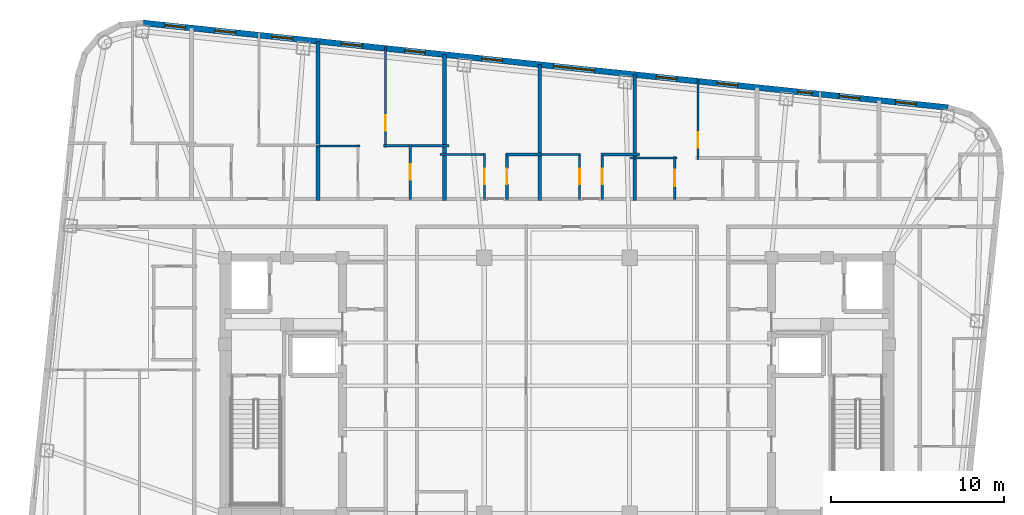
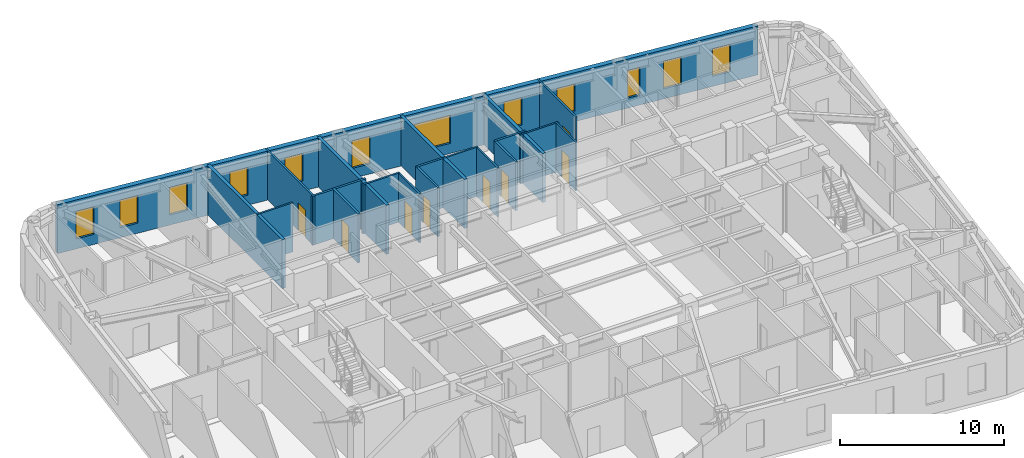
# One storey, part 8 of 11: 20 walls, 12 windows, 8 doors, 20 openings.
"""IFC4 building model written with IfcOpenShell, lengths in metres."""

from ifc_helpers import new_model, si_unit, direction, frame, frame_2d, origin, place, context, subcontext, project, spatial, rectangle, extrude, material, layer, layer_set, type_object, element, fill, save


model = new_model("IFC4")

# Units and contexts
model_context = context("Model", 3, precision=1e-05, world=origin(), true_north=direction((0.0, 1.0)))
body_context = subcontext(model_context, "Body", "Model", "MODEL_VIEW")
ifc_project = project(units=[si_unit("LENGTHUNIT", "METRE"), si_unit("AREAUNIT", "SQUARE_METRE"), si_unit("VOLUMEUNIT", "CUBIC_METRE"), si_unit("PLANEANGLEUNIT", "RADIAN"), si_unit("MASSUNIT", "GRAM", prefix="KILO")], contexts=[model_context])

# Site, building, storey
site_placement = place(None, origin())
site = spatial("IfcSite", under=ifc_project, at=site_placement, CompositionType="ELEMENT")
building_placement = place(site_placement, origin())
building = spatial("IfcBuilding", under=site, at=building_placement, Name="Voryun Gate Residences", CompositionType="ELEMENT")
storey_placement = place(building_placement, frame((0.0, 0.0, 279.5)))
storey = spatial("IfcBuildingStorey", under=building, at=storey_placement, Name="L69", CompositionType="ELEMENT", Elevation=279.5)

# Wall, openings, windows
ifc_material_1 = material(Name="Charcoal terracotta masonry", Category="masonry")
ifc_layer_1 = layer(ifc_material_1, 0.340087890625, Name="W_EXT_TERRACOTTA_340")
ifc_layer_set_1 = layer_set([ifc_layer_1], Name="Charcoal terracotta masonry")
wall_type_1 = type_object("IfcWallType", Name="W_EXT_TERRACOTTA_340", PredefinedType="ELEMENTEDWALL", material=ifc_layer_set_1)
wall_1_placement = place(storey_placement, frame((-23.90771484375, 20.97216796875, 0.0), z_axis=(0.0, 0.0, 1.0), x_axis=(0.994521888554, -0.104528528102, 0.0)))
wall_1 = element("IfcWall", 1, at=wall_1_placement, inside=storey, type_object=wall_type_1, Name="Exterior wall WEXT-L69-11", PredefinedType="ELEMENTEDWALL", context=body_context, shape_type="SweptSolid", body=[
    extrude(rectangle(XDim=46.766357421875, YDim=0.340087890625, at=frame_2d((23.38330078125, 0.0))), origin(), (0.0, 0.0, 1.0), 3.64990234375),
])
opening_1_placement = place(wall_1_placement, frame((23.833251953125, 0.0, 0.75)))
opening_1 = element("IfcOpeningElement", 2, at=opening_1_placement, cuts=wall_1, Name="Opening WN2", PredefinedType="OPENING", context=body_context, shape_type="SweptSolid", body=[
    extrude(rectangle(XDim=2.39990234375, YDim=2.10009765625, at=frame_2d((1.199951171875, 1.050048828125))), frame((0.0, 0.179931640625, 0.0), z_axis=(0.0, -1.0, 0.0), x_axis=(1.0, 0.0, 0.0)), (0.0, 0.0, 1.0), 0.360107421875),
])
opening_2_placement = place(wall_1_placement, frame((1.242919921875, 0.0, 0.75)))
opening_2 = element("IfcOpeningElement", 3, at=opening_2_placement, cuts=wall_1, Name="Opening WN6", PredefinedType="OPENING", context=body_context, shape_type="SweptSolid", body=[
    extrude(rectangle(XDim=1.199951171875, YDim=2.050048828125, at=frame_2d((0.60009765625, 1.02490234375))), frame((0.0, 0.179931640625, 0.0), z_axis=(0.0, -1.0, 0.0), x_axis=(1.0, 0.0, 0.0)), (0.0, 0.0, 1.0), 0.360107421875),
])
opening_3_placement = place(wall_1_placement, frame((4.156982421875, 0.0, 0.75)))
opening_3 = element("IfcOpeningElement", 4, at=opening_3_placement, cuts=wall_1, Name="Opening WN6", PredefinedType="OPENING", context=body_context, shape_type="SweptSolid", body=[
    extrude(rectangle(XDim=1.199951171875, YDim=2.050048828125, at=frame_2d((0.60009765625, 1.02490234375))), frame((0.0, 0.179931640625, 0.0), z_axis=(0.0, -1.0, 0.0), x_axis=(1.0, 0.0, 0.0)), (0.0, 0.0, 1.0), 0.360107421875),
])
opening_4_placement = place(wall_1_placement, frame((7.475341796875, 0.0, 0.75)))
opening_4 = element("IfcOpeningElement", 5, at=opening_4_placement, cuts=wall_1, Name="Opening WN6", PredefinedType="OPENING", context=body_context, shape_type="SweptSolid", body=[
    extrude(rectangle(XDim=1.199951171875, YDim=2.050048828125, at=frame_2d((0.60009765625, 1.02490234375))), frame((0.0, 0.179931640625, 0.0), z_axis=(0.0, -1.0, 0.0), x_axis=(1.0, 0.0, 0.0)), (0.0, 0.0, 1.0), 0.360107421875),
])
opening_5_placement = place(wall_1_placement, frame((11.513427734375, 0.0, 0.75)))
opening_5 = element("IfcOpeningElement", 6, at=opening_5_placement, cuts=wall_1, Name="Opening WN6", PredefinedType="OPENING", context=body_context, shape_type="SweptSolid", body=[
    extrude(rectangle(XDim=1.199951171875, YDim=2.050048828125, at=frame_2d((0.60009765625, 1.02490234375))), frame((0.0, 0.179931640625, 0.0), z_axis=(0.0, -1.0, 0.0), x_axis=(1.0, 0.0, 0.0)), (0.0, 0.0, 1.0), 0.360107421875),
])
opening_6_placement = place(wall_1_placement, frame((15.191650390625, 0.0, 0.75)))
opening_6 = element("IfcOpeningElement", 7, at=opening_6_placement, cuts=wall_1, Name="Opening WN6", PredefinedType="OPENING", context=body_context, shape_type="SweptSolid", body=[
    extrude(rectangle(XDim=1.199951171875, YDim=2.050048828125, at=frame_2d((0.60009765625, 1.02490234375))), frame((0.0, 0.179931640625, 0.0), z_axis=(0.0, -1.0, 0.0), x_axis=(1.0, 0.0, 0.0)), (0.0, 0.0, 1.0), 0.360107421875),
])
opening_7_placement = place(wall_1_placement, frame((19.671142578125, 0.0, 0.75)))
opening_7 = element("IfcOpeningElement", 8, at=opening_7_placement, cuts=wall_1, Name="Opening WN6", PredefinedType="OPENING", context=body_context, shape_type="SweptSolid", body=[
    extrude(rectangle(XDim=1.199951171875, YDim=2.050048828125, at=frame_2d((0.60009765625, 1.02490234375))), frame((0.0, 0.179931640625, 0.0), z_axis=(0.0, -1.0, 0.0), x_axis=(1.0, 0.0, 0.0)), (0.0, 0.0, 1.0), 0.360107421875),
])
opening_8_placement = place(wall_1_placement, frame((29.801025390625, 0.0, 0.75)))
opening_8 = element("IfcOpeningElement", 9, at=opening_8_placement, cuts=wall_1, Name="Opening WN6", PredefinedType="OPENING", context=body_context, shape_type="SweptSolid", body=[
    extrude(rectangle(XDim=1.199951171875, YDim=2.050048828125, at=frame_2d((0.60009765625, 1.02490234375))), frame((0.0, 0.179931640625, 0.0), z_axis=(0.0, -1.0, 0.0), x_axis=(1.0, 0.0, 0.0)), (0.0, 0.0, 1.0), 0.360107421875),
])
opening_9_placement = place(wall_1_placement, frame((33.35009765625, 0.0, 0.75)))
opening_9 = element("IfcOpeningElement", 10, at=opening_9_placement, cuts=wall_1, Name="Opening WN6", PredefinedType="OPENING", context=body_context, shape_type="SweptSolid", body=[
    extrude(rectangle(XDim=1.199951171875, YDim=2.050048828125, at=frame_2d((0.60009765625, 1.02490234375))), frame((0.0, 0.179931640625, 0.0), z_axis=(0.0, -1.0, 0.0), x_axis=(1.0, 0.0, 0.0)), (0.0, 0.0, 1.0), 0.360107421875),
])
opening_10_placement = place(wall_1_placement, frame((38.033935546875, 0.0, 0.75)))
opening_10 = element("IfcOpeningElement", 11, at=opening_10_placement, cuts=wall_1, Name="Opening WN9", PredefinedType="OPENING", context=body_context, shape_type="SweptSolid", body=[
    extrude(rectangle(XDim=0.85009765625, YDim=2.050048828125, at=frame_2d((0.425048828125, 1.02490234375))), frame((0.0, 0.179931640625, 0.0), z_axis=(0.0, -1.0, 0.0), x_axis=(1.0, 0.0, 0.0)), (0.0, 0.0, 1.0), 0.360107421875),
])
opening_11_placement = place(wall_1_placement, frame((40.447998046875, 0.0, 0.75)))
opening_11 = element("IfcOpeningElement", 12, at=opening_11_placement, cuts=wall_1, Name="Opening WN6", PredefinedType="OPENING", context=body_context, shape_type="SweptSolid", body=[
    extrude(rectangle(XDim=1.199951171875, YDim=2.050048828125, at=frame_2d((0.60009765625, 1.02490234375))), frame((0.0, 0.179931640625, 0.0), z_axis=(0.0, -1.0, 0.0), x_axis=(1.0, 0.0, 0.0)), (0.0, 0.0, 1.0), 0.360107421875),
])
opening_12_placement = place(wall_1_placement, frame((43.718017578125, 0.0, 0.75)))
opening_12 = element("IfcOpeningElement", 13, at=opening_12_placement, cuts=wall_1, Name="Opening WN6", PredefinedType="OPENING", context=body_context, shape_type="SweptSolid", body=[
    extrude(rectangle(XDim=1.199951171875, YDim=2.050048828125, at=frame_2d((0.60009765625, 1.02490234375))), frame((0.0, 0.179931640625, 0.0), z_axis=(0.0, -1.0, 0.0), x_axis=(1.0, 0.0, 0.0)), (0.0, 0.0, 1.0), 0.360107421875),
])
ifc_material_2 = material(Name="Laminated low-E glass", Category="glass")
window_type_1 = type_object("IfcWindowType", Name="WN_POD_SLOT_1200", PartitioningType="SINGLE_PANEL", PredefinedType="WINDOW", material=ifc_material_2)
window_1_placement = place(opening_2_placement, origin())
window_1 = element("IfcWindow", 14, at=window_1_placement, inside=storey, type_object=window_type_1, Name="Window WN-L69-DWFIX-02", OverallHeight=2.050048828125, OverallWidth=1.199951171875, PartitioningType="SINGLE_PANEL", PredefinedType="WINDOW", context=body_context, shape_type="SweptSolid", body=[
    extrude(rectangle(XDim=1.199951171875, YDim=2.050048828125, at=frame_2d((0.60009765625, 1.02490234375))), frame((0.0, 0.030029296875, 0.0), z_axis=(0.0, -1.0, 0.0), x_axis=(1.0, 0.0, 0.0)), (0.0, 0.0, 1.0), 0.06005859375),
])
fill(opening_2, window_1)
window_2_placement = place(opening_3_placement, origin())
window_2 = element("IfcWindow", 15, at=window_2_placement, inside=storey, type_object=window_type_1, Name="Window WN-L69-DWFIX-03", OverallHeight=2.050048828125, OverallWidth=1.199951171875, PartitioningType="SINGLE_PANEL", PredefinedType="WINDOW", context=body_context, shape_type="SweptSolid", body=[
    extrude(rectangle(XDim=1.199951171875, YDim=2.050048828125, at=frame_2d((0.60009765625, 1.02490234375))), frame((0.0, 0.030029296875, 0.0), z_axis=(0.0, -1.0, 0.0), x_axis=(1.0, 0.0, 0.0)), (0.0, 0.0, 1.0), 0.06005859375),
])
fill(opening_3, window_2)
window_3_placement = place(opening_4_placement, origin())
window_3 = element("IfcWindow", 16, at=window_3_placement, inside=storey, type_object=window_type_1, Name="Window WN-L69-DWFIX-04", OverallHeight=2.050048828125, OverallWidth=1.199951171875, PartitioningType="SINGLE_PANEL", PredefinedType="WINDOW", context=body_context, shape_type="SweptSolid", body=[
    extrude(rectangle(XDim=1.199951171875, YDim=2.050048828125, at=frame_2d((0.60009765625, 1.02490234375))), frame((0.0, 0.030029296875, 0.0), z_axis=(0.0, -1.0, 0.0), x_axis=(1.0, 0.0, 0.0)), (0.0, 0.0, 1.0), 0.06005859375),
])
fill(opening_4, window_3)
window_4_placement = place(opening_5_placement, origin())
window_4 = element("IfcWindow", 17, at=window_4_placement, inside=storey, type_object=window_type_1, Name="Window WN-L69-DWFIX-05", OverallHeight=2.050048828125, OverallWidth=1.199951171875, PartitioningType="SINGLE_PANEL", PredefinedType="WINDOW", context=body_context, shape_type="SweptSolid", body=[
    extrude(rectangle(XDim=1.199951171875, YDim=2.050048828125, at=frame_2d((0.60009765625, 1.02490234375))), frame((0.0, 0.030029296875, 0.0), z_axis=(0.0, -1.0, 0.0), x_axis=(1.0, 0.0, 0.0)), (0.0, 0.0, 1.0), 0.06005859375),
])
fill(opening_5, window_4)
window_5_placement = place(opening_6_placement, origin())
window_5 = element("IfcWindow", 18, at=window_5_placement, inside=storey, type_object=window_type_1, Name="Window WN-L69-DWFIX-06", OverallHeight=2.050048828125, OverallWidth=1.199951171875, PartitioningType="SINGLE_PANEL", PredefinedType="WINDOW", context=body_context, shape_type="SweptSolid", body=[
    extrude(rectangle(XDim=1.199951171875, YDim=2.050048828125, at=frame_2d((0.60009765625, 1.02490234375))), frame((0.0, 0.030029296875, 0.0), z_axis=(0.0, -1.0, 0.0), x_axis=(1.0, 0.0, 0.0)), (0.0, 0.0, 1.0), 0.06005859375),
])
fill(opening_6, window_5)
window_6_placement = place(opening_7_placement, origin())
window_6 = element("IfcWindow", 19, at=window_6_placement, inside=storey, type_object=window_type_1, Name="Window WN-L69-DWFIX-07", OverallHeight=2.050048828125, OverallWidth=1.199951171875, PartitioningType="SINGLE_PANEL", PredefinedType="WINDOW", context=body_context, shape_type="SweptSolid", body=[
    extrude(rectangle(XDim=1.199951171875, YDim=2.050048828125, at=frame_2d((0.60009765625, 1.02490234375))), frame((0.0, 0.030029296875, 0.0), z_axis=(0.0, -1.0, 0.0), x_axis=(1.0, 0.0, 0.0)), (0.0, 0.0, 1.0), 0.06005859375),
])
fill(opening_7, window_6)
window_7_placement = place(opening_8_placement, origin())
window_7 = element("IfcWindow", 20, at=window_7_placement, inside=storey, type_object=window_type_1, Name="Window WN-L69-DWFIX-08", OverallHeight=2.050048828125, OverallWidth=1.199951171875, PartitioningType="SINGLE_PANEL", PredefinedType="WINDOW", context=body_context, shape_type="SweptSolid", body=[
    extrude(rectangle(XDim=1.199951171875, YDim=2.050048828125, at=frame_2d((0.60009765625, 1.02490234375))), frame((0.0, 0.030029296875, 0.0), z_axis=(0.0, -1.0, 0.0), x_axis=(1.0, 0.0, 0.0)), (0.0, 0.0, 1.0), 0.06005859375),
])
fill(opening_8, window_7)
window_8_placement = place(opening_9_placement, origin())
window_8 = element("IfcWindow", 21, at=window_8_placement, inside=storey, type_object=window_type_1, Name="Window WN-L69-DWFIX-09", OverallHeight=2.050048828125, OverallWidth=1.199951171875, PartitioningType="SINGLE_PANEL", PredefinedType="WINDOW", context=body_context, shape_type="SweptSolid", body=[
    extrude(rectangle(XDim=1.199951171875, YDim=2.050048828125, at=frame_2d((0.60009765625, 1.02490234375))), frame((0.0, 0.030029296875, 0.0), z_axis=(0.0, -1.0, 0.0), x_axis=(1.0, 0.0, 0.0)), (0.0, 0.0, 1.0), 0.06005859375),
])
fill(opening_9, window_8)
window_9_placement = place(opening_11_placement, origin())
window_9 = element("IfcWindow", 22, at=window_9_placement, inside=storey, type_object=window_type_1, Name="Window WN-L69-DWFIX-11", OverallHeight=2.050048828125, OverallWidth=1.199951171875, PartitioningType="SINGLE_PANEL", PredefinedType="WINDOW", context=body_context, shape_type="SweptSolid", body=[
    extrude(rectangle(XDim=1.199951171875, YDim=2.050048828125, at=frame_2d((0.60009765625, 1.02490234375))), frame((0.0, 0.030029296875, 0.0), z_axis=(0.0, -1.0, 0.0), x_axis=(1.0, 0.0, 0.0)), (0.0, 0.0, 1.0), 0.06005859375),
])
fill(opening_11, window_9)
window_10_placement = place(opening_12_placement, origin())
window_10 = element("IfcWindow", 23, at=window_10_placement, inside=storey, type_object=window_type_1, Name="Window WN-L69-DWFIX-12", OverallHeight=2.050048828125, OverallWidth=1.199951171875, PartitioningType="SINGLE_PANEL", PredefinedType="WINDOW", context=body_context, shape_type="SweptSolid", body=[
    extrude(rectangle(XDim=1.199951171875, YDim=2.050048828125, at=frame_2d((0.60009765625, 1.02490234375))), frame((0.0, 0.030029296875, 0.0), z_axis=(0.0, -1.0, 0.0), x_axis=(1.0, 0.0, 0.0)), (0.0, 0.0, 1.0), 0.06005859375),
])
fill(opening_12, window_10)
ifc_material_3 = material(Name="Laminated low-E glass", Category="glass")
window_type_2 = type_object("IfcWindowType", Name="WN_RES_CASEMENT_850", PartitioningType="SINGLE_PANEL", PredefinedType="WINDOW", material=ifc_material_3)
window_11_placement = place(opening_10_placement, origin())
window_11 = element("IfcWindow", 24, at=window_11_placement, inside=storey, type_object=window_type_2, Name="Window WN-L69-DWFIX-10", OverallHeight=2.050048828125, OverallWidth=0.85009765625, PartitioningType="SINGLE_PANEL", PredefinedType="WINDOW", context=body_context, shape_type="SweptSolid", body=[
    extrude(rectangle(XDim=0.85009765625, YDim=2.050048828125, at=frame_2d((0.425048828125, 1.02490234375))), frame((0.0, 0.030029296875, 0.0), z_axis=(0.0, -1.0, 0.0), x_axis=(1.0, 0.0, 0.0)), (0.0, 0.0, 1.0), 0.06005859375),
])
fill(opening_10, window_11)
ifc_material_4 = material(Name="Laminated low-E glass", Category="glass")
window_type_3 = type_object("IfcWindowType", Name="WN_RES_WIDE_2400", PartitioningType="SINGLE_PANEL", PredefinedType="WINDOW", material=ifc_material_4)
window_12_placement = place(opening_1_placement, origin())
window_12 = element("IfcWindow", 25, at=window_12_placement, inside=storey, type_object=window_type_3, Name="Window WN-WEXT-L69-11-02", OverallHeight=2.10009765625, OverallWidth=2.39990234375, PartitioningType="SINGLE_PANEL", PredefinedType="WINDOW", context=body_context, shape_type="SweptSolid", body=[
    extrude(rectangle(XDim=2.39990234375, YDim=2.10009765625, at=frame_2d((1.199951171875, 1.050048828125))), frame((0.0, 0.030029296875, 0.0), z_axis=(0.0, -1.0, 0.0), x_axis=(1.0, 0.0, 0.0)), (0.0, 0.0, 1.0), 0.06005859375),
])
fill(opening_1, window_12)

# Walls
ifc_material_5 = material(Name="Concrete C40/50", Category="concrete")
ifc_layer_2 = layer(ifc_material_5, 0.219970703125, Name="W_PARTY_ACOUSTIC_220")
ifc_layer_set_2 = layer_set([ifc_layer_2], Name="Concrete C40/50")
wall_type_2 = type_object("IfcWallType", Name="W_PARTY_ACOUSTIC_220", PredefinedType="PARTITIONING", material=ifc_layer_set_2)
wall_2_placement = place(storey_placement, frame((-13.81591796875, 10.719970703125, 0.0), z_axis=(0.0, 0.0, 1.0), x_axis=(0.0, 1.0, 0.0)))
element("IfcWall", 26, at=wall_2_placement, inside=storey, type_object=wall_type_2, Name="Partition wall WP-L69-NPTY-2", PredefinedType="PARTITIONING", context=body_context, shape_type="SweptSolid", body=[
    extrude(rectangle(XDim=9.191650390625, YDim=0.219970703125, at=frame_2d((4.595703125, 0.0))), origin(), (0.0, 0.0, 1.0), 3.64990234375),
])
wall_3_placement = place(storey_placement, frame((-6.5, 10.719970703125, 0.0), z_axis=(0.0, 0.0, 1.0), x_axis=(0.0, 1.0, 0.0)))
element("IfcWall", 27, at=wall_3_placement, inside=storey, type_object=wall_type_2, Name="Partition wall WP-L69-NPTY-3", PredefinedType="PARTITIONING", context=body_context, shape_type="SweptSolid", body=[
    extrude(rectangle(XDim=8.422607421875, YDim=0.219970703125, at=frame_2d((4.21142578125, 0.0))), origin(), (0.0, 0.0, 1.0), 3.64990234375),
])
wall_4_placement = place(storey_placement, frame((-1.0, 10.719970703125, 0.0), z_axis=(0.0, 0.0, 1.0), x_axis=(0.0, 1.0, 0.0)))
element("IfcWall", 28, at=wall_4_placement, inside=storey, type_object=wall_type_2, Name="Partition wall WP-L69-NPTY-4", PredefinedType="PARTITIONING", context=body_context, shape_type="SweptSolid", body=[
    extrude(rectangle(XDim=7.844482421875, YDim=0.219970703125, at=frame_2d((3.92236328125, 0.0))), origin(), (0.0, 0.0, 1.0), 3.64990234375),
])
wall_5_placement = place(storey_placement, frame((4.5, 10.719970703125, 0.0), z_axis=(0.0, 0.0, 1.0), x_axis=(0.0, 1.0, 0.0)))
element("IfcWall", 29, at=wall_5_placement, inside=storey, type_object=wall_type_2, Name="Partition wall WP-L69-NPTY-5", PredefinedType="PARTITIONING", context=body_context, shape_type="SweptSolid", body=[
    extrude(rectangle(XDim=7.266357421875, YDim=0.219970703125, at=frame_2d((3.63330078125, 0.0))), origin(), (0.0, 0.0, 1.0), 3.64990234375),
])

# Wall, opening, door
ifc_material_6 = material(Name="Gypsum acoustic partition")
ifc_layer_3 = layer(ifc_material_6, 0.125, Name="W_UNIT_PART_125")
ifc_layer_set_3 = layer_set([ifc_layer_3], Name="Gypsum acoustic partition")
wall_type_3 = type_object("IfcWallType", Name="W_UNIT_PART_125", PredefinedType="PARTITIONING", material=ifc_layer_set_3)
wall_6_placement = place(storey_placement, frame((-9.909912109375, 13.785888671875, 0.0), z_axis=(0.0, 0.0, 1.0), x_axis=(0.0, 1.0, 0.0)))
wall_6 = element("IfcWall", 30, at=wall_6_placement, inside=storey, type_object=wall_type_3, Name="Partition wall WP-L69-N3-OVR", PredefinedType="PARTITIONING", context=body_context, shape_type="SweptSolid", body=[
    extrude(rectangle(XDim=5.865966796875, YDim=0.125, at=frame_2d((2.93310546875, 0.0))), origin(), (0.0, 0.0, 1.0), 3.64990234375),
])
opening_13_placement = place(wall_6_placement, frame((0.957763671875, 0.0, 0.0)))
opening_13 = element("IfcOpeningElement", 31, at=opening_13_placement, cuts=wall_6, Name="Opening D-INT-2", PredefinedType="OPENING", context=body_context, shape_type="SweptSolid", body=[
    extrude(rectangle(XDim=0.89990234375, YDim=2.050048828125, at=frame_2d((0.449951171875, 1.02490234375))), frame((0.0, 0.072509765625, 0.0), z_axis=(0.0, -1.0, 0.0), x_axis=(1.0, 0.0, 0.0)), (0.0, 0.0, 1.0), 0.14501953125),
])
ifc_material_7 = material(Name="Architectural oak veneer")
door_type_1 = type_object("IfcDoorType", Name="DR_INT_BATH_900", OperationType="NOTDEFINED", PredefinedType="DOOR", material=ifc_material_7)
door_1_placement = place(opening_13_placement, origin())
door_1 = element("IfcDoor", 32, at=door_1_placement, inside=storey, type_object=door_type_1, Name="Door DR-L69-N3-DMB", OperationType="SINGLE_SWING_RIGHT", OverallHeight=2.050048828125, OverallWidth=0.89990234375, PredefinedType="DOOR", context=body_context, shape_type="SweptSolid", body=[
    extrude(rectangle(XDim=0.89990234375, YDim=2.050048828125, at=frame_2d((0.449951171875, 1.02490234375))), frame((0.0, 0.02490234375, 0.0), z_axis=(0.0, -1.0, 0.0), x_axis=(1.0, 0.0, 0.0)), (0.0, 0.0, 1.0), 0.050048828125),
])
fill(opening_13, door_1)

# Wall
wall_7_placement = place(storey_placement, frame((-13.89111328125, 13.865966796875, 0.0), z_axis=(0.0, 0.0, 1.0), x_axis=(1.0, 0.0, 0.0)))
element("IfcWall", 33, at=wall_7_placement, inside=storey, type_object=wall_type_3, Name="Partition wall WP-L69-N3-HZK", PredefinedType="PARTITIONING", context=body_context, shape_type="SweptSolid", body=[
    extrude(rectangle(XDim=2.505126953125, YDim=0.125, at=frame_2d((1.25244140625, 0.0))), origin(), (0.0, 0.0, 1.0), 3.64990234375),
])

# Wall, opening, door
wall_8_placement = place(storey_placement, frame((-4.18994140625, 10.780029296875, 0.0), z_axis=(0.0, 0.0, 1.0), x_axis=(0.0, 1.0, 0.0)))
wall_8 = element("IfcWall", 34, at=wall_8_placement, inside=storey, type_object=wall_type_3, Name="Partition wall WP-L69-N4-CVK", PredefinedType="PARTITIONING", context=body_context, shape_type="SweptSolid", body=[
    extrude(rectangle(XDim=2.64990234375, YDim=0.125, at=frame_2d((1.324951171875, 0.0))), origin(), (0.0, 0.0, 1.0), 3.64990234375),
])
opening_14_placement = place(wall_8_placement, frame((0.875, 0.0, 0.0)))
opening_14 = element("IfcOpeningElement", 35, at=opening_14_placement, cuts=wall_8, Name="Opening D-INT-2", PredefinedType="OPENING", context=body_context, shape_type="SweptSolid", body=[
    extrude(rectangle(XDim=0.89990234375, YDim=2.050048828125, at=frame_2d((0.449951171875, 1.02490234375))), frame((0.0, 0.072509765625, 0.0), z_axis=(0.0, -1.0, 0.0), x_axis=(1.0, 0.0, 0.0)), (0.0, 0.0, 1.0), 0.14501953125),
])
door_2_placement = place(opening_14_placement, origin())
door_2 = element("IfcDoor", 36, at=door_2_placement, inside=storey, type_object=door_type_1, Name="Door DR-L69-N4-DK", OperationType="SINGLE_SWING_LEFT", OverallHeight=2.050048828125, OverallWidth=0.89990234375, PredefinedType="DOOR", context=body_context, shape_type="SweptSolid", body=[
    extrude(rectangle(XDim=0.89990234375, YDim=2.050048828125, at=frame_2d((0.449951171875, 1.02490234375))), frame((0.0, 0.02490234375, 0.0), z_axis=(0.0, -1.0, 0.0), x_axis=(1.0, 0.0, 0.0)), (0.0, 0.0, 1.0), 0.050048828125),
])
fill(opening_14, door_2)

# Wall
wall_9_placement = place(storey_placement, frame((-6.760009765625, 13.3701171875, 0.0), z_axis=(0.0, 0.0, 1.0), x_axis=(1.0, 0.0, 0.0)))
element("IfcWall", 37, at=wall_9_placement, inside=storey, type_object=wall_type_3, Name="Partition wall WP-L69-N4-CHK", PredefinedType="PARTITIONING", context=body_context, shape_type="SweptSolid", body=[
    extrude(rectangle(XDim=2.630126953125, YDim=0.125, at=frame_2d((1.31494140625, 0.0))), origin(), (0.0, 0.0, 1.0), 3.64990234375),
])

# Wall, opening, door
wall_10_placement = place(storey_placement, frame((1.31005859375, 10.780029296875, 0.0), z_axis=(0.0, 0.0, 1.0), x_axis=(0.0, 1.0, 0.0)))
wall_10 = element("IfcWall", 38, at=wall_10_placement, inside=storey, type_object=wall_type_3, Name="Partition wall WP-L69-N5-CVK", PredefinedType="PARTITIONING", context=body_context, shape_type="SweptSolid", body=[
    extrude(rectangle(XDim=2.64990234375, YDim=0.125, at=frame_2d((1.324951171875, 0.0))), origin(), (0.0, 0.0, 1.0), 3.64990234375),
])
opening_15_placement = place(wall_10_placement, frame((0.875, 0.0, 0.0)))
opening_15 = element("IfcOpeningElement", 39, at=opening_15_placement, cuts=wall_10, Name="Opening D-INT-2", PredefinedType="OPENING", context=body_context, shape_type="SweptSolid", body=[
    extrude(rectangle(XDim=0.89990234375, YDim=2.050048828125, at=frame_2d((0.449951171875, 1.02490234375))), frame((0.0, 0.072509765625, 0.0), z_axis=(0.0, -1.0, 0.0), x_axis=(1.0, 0.0, 0.0)), (0.0, 0.0, 1.0), 0.14501953125),
])
door_3_placement = place(opening_15_placement, origin())
door_3 = element("IfcDoor", 40, at=door_3_placement, inside=storey, type_object=door_type_1, Name="Door DR-L69-N5-DK", OperationType="SINGLE_SWING_LEFT", OverallHeight=2.050048828125, OverallWidth=0.89990234375, PredefinedType="DOOR", context=body_context, shape_type="SweptSolid", body=[
    extrude(rectangle(XDim=0.89990234375, YDim=2.050048828125, at=frame_2d((0.449951171875, 1.02490234375))), frame((0.0, 0.02490234375, 0.0), z_axis=(0.0, -1.0, 0.0), x_axis=(1.0, 0.0, 0.0)), (0.0, 0.0, 1.0), 0.050048828125),
])
fill(opening_15, door_3)

# Wall
wall_11_placement = place(storey_placement, frame((-1.074951171875, 13.3701171875, 0.0), z_axis=(0.0, 0.0, 1.0), x_axis=(1.0, 0.0, 0.0)))
element("IfcWall", 41, at=wall_11_placement, inside=storey, type_object=wall_type_3, Name="Partition wall WP-L69-N5-CHK", PredefinedType="PARTITIONING", context=body_context, shape_type="SweptSolid", body=[
    extrude(rectangle(XDim=2.445068359375, YDim=0.125, at=frame_2d((1.22265625, 0.0))), origin(), (0.0, 0.0, 1.0), 3.64990234375),
])

# Wall, opening, door
wall_12_placement = place(storey_placement, frame((8.14892578125, 13.0869140625, 0.0), z_axis=(0.0, 0.0, 1.0), x_axis=(0.0, 1.0, 0.0)))
wall_12 = element("IfcWall", 42, at=wall_12_placement, inside=storey, type_object=wall_type_3, Name="Partition wall WP-L69-N6-OVR", PredefinedType="PARTITIONING", context=body_context, shape_type="SweptSolid", body=[
    extrude(rectangle(XDim=4.666748046875, YDim=0.125, at=frame_2d((2.33349609375, 0.0))), origin(), (0.0, 0.0, 1.0), 3.64990234375),
])
opening_16_placement = place(wall_12_placement, frame((0.669921875, 0.0, 0.0)))
opening_16 = element("IfcOpeningElement", 43, at=opening_16_placement, cuts=wall_12, Name="Opening D-INT-2", PredefinedType="OPENING", context=body_context, shape_type="SweptSolid", body=[
    extrude(rectangle(XDim=0.89990234375, YDim=2.050048828125, at=frame_2d((0.449951171875, 1.02490234375))), frame((0.0, 0.072509765625, 0.0), z_axis=(0.0, -1.0, 0.0), x_axis=(1.0, 0.0, 0.0)), (0.0, 0.0, 1.0), 0.14501953125),
])
door_4_placement = place(opening_16_placement, origin())
door_4 = element("IfcDoor", 44, at=door_4_placement, inside=storey, type_object=door_type_1, Name="Door DR-L69-N6-DMB", OperationType="SINGLE_SWING_RIGHT", OverallHeight=2.050048828125, OverallWidth=0.89990234375, PredefinedType="DOOR", context=body_context, shape_type="SweptSolid", body=[
    extrude(rectangle(XDim=0.89990234375, YDim=2.050048828125, at=frame_2d((0.449951171875, 1.02490234375))), frame((0.0, 0.02490234375, 0.0), z_axis=(0.0, -1.0, 0.0), x_axis=(1.0, 0.0, 0.0)), (0.0, 0.0, 1.0), 0.050048828125),
])
fill(opening_16, door_4)

wall_13_placement = place(storey_placement, frame((6.81005859375, 10.780029296875, 0.0), z_axis=(0.0, 0.0, 1.0), x_axis=(0.0, 1.0, 0.0)))
wall_13 = element("IfcWall", 45, at=wall_13_placement, inside=storey, type_object=wall_type_3, Name="Partition wall WP-L69-N6-IVK", PredefinedType="PARTITIONING", context=body_context, shape_type="SweptSolid", body=[
    extrude(rectangle(XDim=2.467041015625, YDim=0.125, at=frame_2d((1.2333984375, 0.0))), origin(), (0.0, 0.0, 1.0), 3.64990234375),
])
opening_17_placement = place(wall_13_placement, frame((0.758544921875, 0.0, 0.0)))
opening_17 = element("IfcOpeningElement", 46, at=opening_17_placement, cuts=wall_13, Name="Opening D-INT-1", PredefinedType="OPENING", context=body_context, shape_type="SweptSolid", body=[
    extrude(rectangle(XDim=0.949951171875, YDim=2.050048828125, at=frame_2d((0.47509765625, 1.02490234375))), frame((0.0, 0.072509765625, 0.0), z_axis=(0.0, -1.0, 0.0), x_axis=(1.0, 0.0, 0.0)), (0.0, 0.0, 1.0), 0.14501953125),
])
ifc_material_8 = material(Name="Architectural oak veneer")
door_type_2 = type_object("IfcDoorType", Name="DR_INT_ROOM_950", OperationType="NOTDEFINED", PredefinedType="DOOR", material=ifc_material_8)
door_5_placement = place(opening_17_placement, origin())
door_5 = element("IfcDoor", 47, at=door_5_placement, inside=storey, type_object=door_type_2, Name="Door DR-L69-N6-DK", OperationType="SINGLE_SWING_LEFT", OverallHeight=2.050048828125, OverallWidth=0.949951171875, PredefinedType="DOOR", context=body_context, shape_type="SweptSolid", body=[
    extrude(rectangle(XDim=0.949951171875, YDim=2.050048828125, at=frame_2d((0.47509765625, 1.02490234375))), frame((0.0, 0.02490234375, 0.0), z_axis=(0.0, -1.0, 0.0), x_axis=(1.0, 0.0, 0.0)), (0.0, 0.0, 1.0), 0.050048828125),
])
fill(opening_17, door_5)

# Walls
wall_14_placement = place(storey_placement, frame((4.239990234375, 13.1669921875, 0.0), z_axis=(0.0, 0.0, 1.0), x_axis=(1.0, 0.0, 0.0)))
element("IfcWall", 48, at=wall_14_placement, inside=storey, type_object=wall_type_3, Name="Partition wall WP-L69-N6-HZK", PredefinedType="PARTITIONING", context=body_context, shape_type="SweptSolid", body=[
    extrude(rectangle(XDim=2.68994140625, YDim=0.125, at=frame_2d((1.344970703125, 0.0))), origin(), (0.0, 0.0, 1.0), 3.64990234375),
])
ifc_material_9 = material(Name="Gypsum moisture-resistant partition")
ifc_layer_4 = layer(ifc_material_9, 0.14990234375, Name="W_WET_PLUMB_150")
ifc_layer_set_4 = layer_set([ifc_layer_4], Name="Gypsum moisture-resistant partition")
wall_type_4 = type_object("IfcWallType", Name="W_WET_PLUMB_150", PredefinedType="PLUMBINGWALL", material=ifc_layer_set_4)
wall_15_placement = place(storey_placement, frame((-10.030029296875, 13.865966796875, 0.0), z_axis=(0.0, 0.0, 1.0), x_axis=(1.0, 0.0, 0.0)))
element("IfcWall", 49, at=wall_15_placement, inside=storey, type_object=wall_type_4, Name="Partition wall WP-L69-N3-HZB", PredefinedType="PLUMBINGWALL", context=body_context, shape_type="SweptSolid", body=[
    extrude(rectangle(XDim=3.7900390625, YDim=0.14990234375, at=frame_2d((1.89501953125, 0.0))), origin(), (0.0, 0.0, 1.0), 3.64990234375),
])

# Wall, opening, door
wall_16_placement = place(storey_placement, frame((-8.47998046875, 10.780029296875, 0.0), z_axis=(0.0, 0.0, 1.0), x_axis=(0.0, 1.0, 0.0)))
wall_16 = element("IfcWall", 50, at=wall_16_placement, inside=storey, type_object=wall_type_4, Name="Partition wall WP-L69-N3-IVB", PredefinedType="PLUMBINGWALL", context=body_context, shape_type="SweptSolid", body=[
    extrude(rectangle(XDim=3.166015625, YDim=0.14990234375, at=frame_2d((1.5830078125, 0.0))), origin(), (0.0, 0.0, 1.0), 3.64990234375),
])
opening_18_placement = place(wall_16_placement, frame((1.133056640625, 0.0, 0.0)))
opening_18 = element("IfcOpeningElement", 51, at=opening_18_placement, cuts=wall_16, Name="Opening D-INT-2", PredefinedType="OPENING", context=body_context, shape_type="SweptSolid", body=[
    extrude(rectangle(XDim=0.89990234375, YDim=2.050048828125, at=frame_2d((0.449951171875, 1.02490234375))), frame((0.0, 0.0849609375, 0.0), z_axis=(0.0, -1.0, 0.0), x_axis=(1.0, 0.0, 0.0)), (0.0, 0.0, 1.0), 0.169921875),
])
door_6_placement = place(opening_18_placement, origin())
door_6 = element("IfcDoor", 52, at=door_6_placement, inside=storey, type_object=door_type_1, Name="Door DR-L69-N3-DB", OperationType="SINGLE_SWING_RIGHT", OverallHeight=2.050048828125, OverallWidth=0.89990234375, PredefinedType="DOOR", context=body_context, shape_type="SweptSolid", body=[
    extrude(rectangle(XDim=0.89990234375, YDim=2.050048828125, at=frame_2d((0.449951171875, 1.02490234375))), frame((0.0, 0.02490234375, 0.0), z_axis=(0.0, -1.0, 0.0), x_axis=(1.0, 0.0, 0.0)), (0.0, 0.0, 1.0), 0.050048828125),
])
fill(opening_18, door_6)

wall_17_placement = place(storey_placement, frame((-2.888916015625, 10.780029296875, 0.0), z_axis=(0.0, 0.0, 1.0), x_axis=(0.0, 1.0, 0.0)))
wall_17 = element("IfcWall", 53, at=wall_17_placement, inside=storey, type_object=wall_type_4, Name="Partition wall WP-L69-N4-CVB", PredefinedType="PLUMBINGWALL", context=body_context, shape_type="SweptSolid", body=[
    extrude(rectangle(XDim=2.64990234375, YDim=0.14990234375, at=frame_2d((1.324951171875, 0.0))), origin(), (0.0, 0.0, 1.0), 3.64990234375),
])
opening_19_placement = place(wall_17_placement, frame((0.875, 0.0, 0.0)))
opening_19 = element("IfcOpeningElement", 54, at=opening_19_placement, cuts=wall_17, Name="Opening D-INT-2", PredefinedType="OPENING", context=body_context, shape_type="SweptSolid", body=[
    extrude(rectangle(XDim=0.89990234375, YDim=2.050048828125, at=frame_2d((0.449951171875, 1.02490234375))), frame((0.0, 0.0849609375, 0.0), z_axis=(0.0, -1.0, 0.0), x_axis=(1.0, 0.0, 0.0)), (0.0, 0.0, 1.0), 0.169921875),
])
door_7_placement = place(opening_19_placement, origin())
door_7 = element("IfcDoor", 55, at=door_7_placement, inside=storey, type_object=door_type_1, Name="Door DR-L69-N4-DB", OperationType="SINGLE_SWING_RIGHT", OverallHeight=2.050048828125, OverallWidth=0.89990234375, PredefinedType="DOOR", context=body_context, shape_type="SweptSolid", body=[
    extrude(rectangle(XDim=0.89990234375, YDim=2.050048828125, at=frame_2d((0.449951171875, 1.02490234375))), frame((0.0, 0.02490234375, 0.0), z_axis=(0.0, -1.0, 0.0), x_axis=(1.0, 0.0, 0.0)), (0.0, 0.0, 1.0), 0.050048828125),
])
fill(opening_19, door_7)

# Wall
wall_18_placement = place(storey_placement, frame((-2.948974609375, 13.3701171875, 0.0), z_axis=(0.0, 0.0, 1.0), x_axis=(1.0, 0.0, 0.0)))
element("IfcWall", 56, at=wall_18_placement, inside=storey, type_object=wall_type_4, Name="Partition wall WP-L69-N4-CHB", PredefinedType="PLUMBINGWALL", context=body_context, shape_type="SweptSolid", body=[
    extrude(rectangle(XDim=2.02392578125, YDim=0.14990234375, at=frame_2d((1.011962890625, 0.0))), origin(), (0.0, 0.0, 1.0), 3.64990234375),
])

# Wall, opening, door
wall_19_placement = place(storey_placement, frame((2.611083984375, 10.780029296875, 0.0), z_axis=(0.0, 0.0, 1.0), x_axis=(0.0, 1.0, 0.0)))
wall_19 = element("IfcWall", 57, at=wall_19_placement, inside=storey, type_object=wall_type_4, Name="Partition wall WP-L69-N5-CVB", PredefinedType="PLUMBINGWALL", context=body_context, shape_type="SweptSolid", body=[
    extrude(rectangle(XDim=2.64990234375, YDim=0.14990234375, at=frame_2d((1.324951171875, 0.0))), origin(), (0.0, 0.0, 1.0), 3.64990234375),
])
opening_20_placement = place(wall_19_placement, frame((0.875, 0.0, 0.0)))
opening_20 = element("IfcOpeningElement", 58, at=opening_20_placement, cuts=wall_19, Name="Opening D-INT-2", PredefinedType="OPENING", context=body_context, shape_type="SweptSolid", body=[
    extrude(rectangle(XDim=0.89990234375, YDim=2.050048828125, at=frame_2d((0.449951171875, 1.02490234375))), frame((0.0, 0.0849609375, 0.0), z_axis=(0.0, -1.0, 0.0), x_axis=(1.0, 0.0, 0.0)), (0.0, 0.0, 1.0), 0.169921875),
])
door_8_placement = place(opening_20_placement, origin())
door_8 = element("IfcDoor", 59, at=door_8_placement, inside=storey, type_object=door_type_1, Name="Door DR-L69-N5-DB", OperationType="SINGLE_SWING_RIGHT", OverallHeight=2.050048828125, OverallWidth=0.89990234375, PredefinedType="DOOR", context=body_context, shape_type="SweptSolid", body=[
    extrude(rectangle(XDim=0.89990234375, YDim=2.050048828125, at=frame_2d((0.449951171875, 1.02490234375))), frame((0.0, 0.02490234375, 0.0), z_axis=(0.0, -1.0, 0.0), x_axis=(1.0, 0.0, 0.0)), (0.0, 0.0, 1.0), 0.050048828125),
])
fill(opening_20, door_8)

# Wall
wall_20_placement = place(storey_placement, frame((2.551025390625, 13.3701171875, 0.0), z_axis=(0.0, 0.0, 1.0), x_axis=(1.0, 0.0, 0.0)))
element("IfcWall", 60, at=wall_20_placement, inside=storey, type_object=wall_type_4, Name="Partition wall WP-L69-N5-CHB", PredefinedType="PLUMBINGWALL", context=body_context, shape_type="SweptSolid", body=[
    extrude(rectangle(XDim=2.208984375, YDim=0.14990234375, at=frame_2d((1.1044921875, 0.0))), origin(), (0.0, 0.0, 1.0), 3.64990234375),
])

save(model, "model.ifc")
